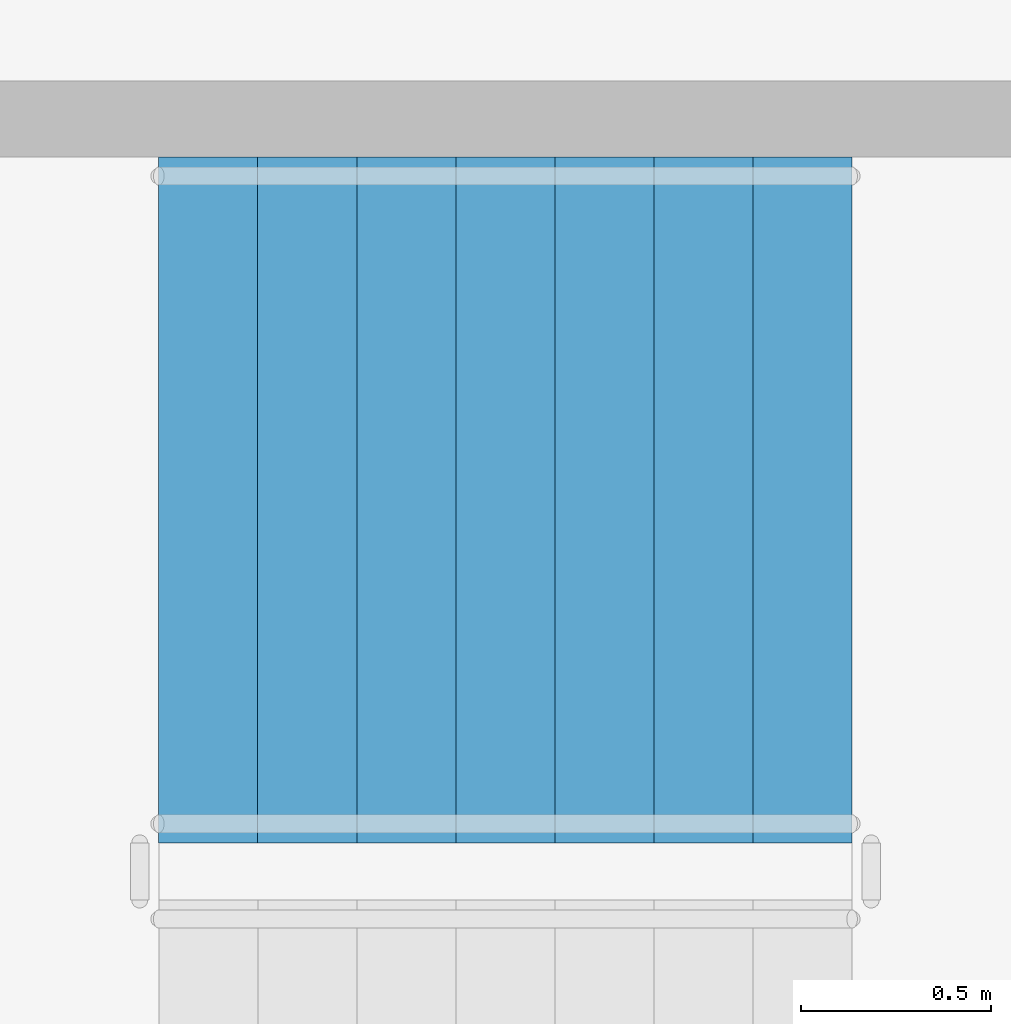
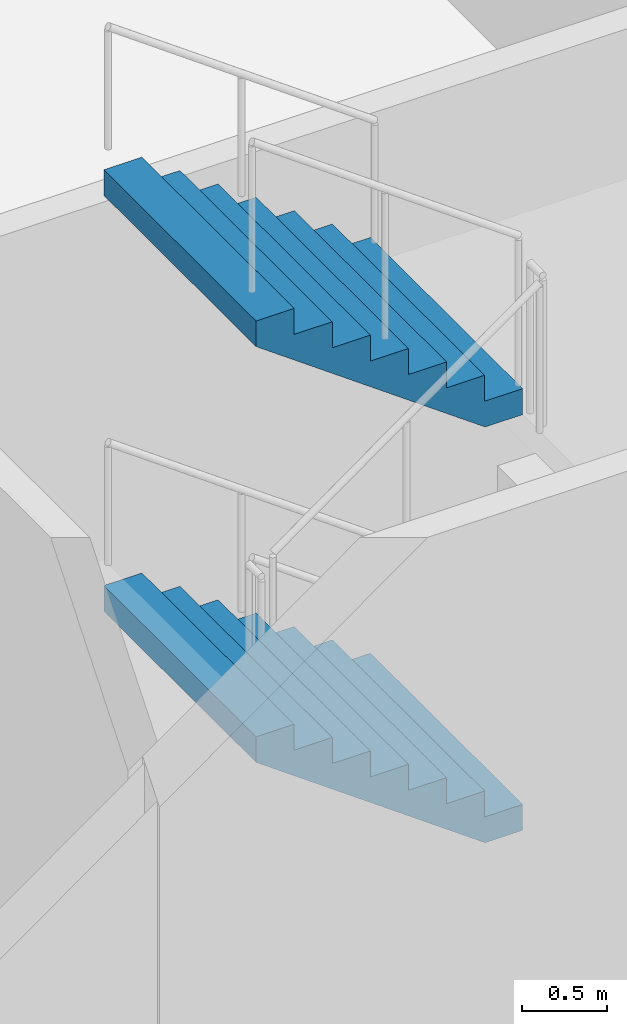
# One storey, part 43 of 75: 2 stair flights, 1 element without a shape of its own.
"""IFC4 building model written with IfcOpenShell, lengths in metres."""

from ifc_helpers import new_model, si_unit, direction, frame, origin, place, context, subcontext, project, spatial, faceted_brep, material, type_object, element, aggregate, save


model = new_model("IFC4")

# Units and contexts
model_context = context("Model", 3, precision=1e-05, world=origin(), true_north=direction((0.0, 1.0)))
body_context = subcontext(model_context, "Body", "Model", "MODEL_VIEW")
ifc_project = project(units=[si_unit("LENGTHUNIT", "METRE"), si_unit("AREAUNIT", "SQUARE_METRE"), si_unit("VOLUMEUNIT", "CUBIC_METRE"), si_unit("PLANEANGLEUNIT", "RADIAN"), si_unit("MASSUNIT", "GRAM", prefix="KILO")], contexts=[model_context])

# Site, building, storey
site_placement = place(None, origin())
site = spatial("IfcSite", under=ifc_project, at=site_placement, CompositionType="ELEMENT")
building_placement = place(site_placement, origin())
building = spatial("IfcBuilding", under=site, at=building_placement, Name="Ipe Terrace Towers", CompositionType="ELEMENT")
storey_placement = place(building_placement, origin())
storey = spatial("IfcBuildingStorey", under=building, at=storey_placement, Name="L00", CompositionType="ELEMENT", Elevation=0.0)

# Stair, stair flights
ifc_material_1 = material(Name="Concrete C30/37", Category="concrete")
stair_type = type_object("IfcStairType", Name="Protected exit stair", PredefinedType="HALF_TURN_STAIR", material=ifc_material_1)
stair_placement = place(storey_placement, origin())
stair = element("IfcStair", 1, at=stair_placement, inside=storey, type_object=stair_type, Name="L00 Podium exit stair PS7", PredefinedType="HALF_TURN_STAIR")
ifc_material_2 = material(Name="Concrete C30/37", Category="concrete")
stair_flight_type = type_object("IfcStairFlightType", Name="Exit stair flight 1800", PredefinedType="STRAIGHT", material=ifc_material_2)
stair_flight_1_placement = place(storey_placement, frame((-64.3701171875, 4.449951171875, 1.5), z_axis=(0.0, 0.0, 1.0), x_axis=(-1.0, 0.0, 0.0)))
stair_flight_1 = element("IfcStairFlight", 2, at=stair_flight_1_placement, type_object=stair_flight_type, Name="PS7 flight 2", NumberOfRisers=8, NumberOfTreads=7, PredefinedType="STRAIGHT", RiserHeight=0.1875, TreadLength=0.26, context=body_context, shape_type="Brep", body=[
    faceted_brep([(0.25634765625, -0.89990234375, 0.0), (1.820068359375, -0.89990234375, 1.127685546875), (1.820068359375, -0.89990234375, 1.3125), (1.56005859375, -0.89990234375, 1.3125), (1.56005859375, -0.89990234375, 1.125), (1.300048828125, -0.89990234375, 1.125), (1.300048828125, -0.89990234375, 0.9375), (1.0400390625, -0.89990234375, 0.9375), (1.0400390625, -0.89990234375, 0.75), (0.780029296875, -0.89990234375, 0.75), (0.780029296875, -0.89990234375, 0.5625), (0.52001953125, -0.89990234375, 0.5625), (0.52001953125, -0.89990234375, 0.375), (0.260009765625, -0.89990234375, 0.375), (0.260009765625, -0.89990234375, 0.1875), (0.0, -0.89990234375, 0.1875), (0.0, -0.89990234375, 0.0), (0.0, 0.89990234375, 0.0), (0.0, 0.89990234375, 0.1875), (0.260009765625, 0.89990234375, 0.1875), (0.260009765625, 0.89990234375, 0.375), (0.52001953125, 0.89990234375, 0.375), (0.52001953125, 0.89990234375, 0.5625), (0.780029296875, 0.89990234375, 0.5625), (0.780029296875, 0.89990234375, 0.75), (1.0400390625, 0.89990234375, 0.75), (1.0400390625, 0.89990234375, 0.9375), (1.300048828125, 0.89990234375, 0.9375), (1.300048828125, 0.89990234375, 1.125), (1.56005859375, 0.89990234375, 1.125), (1.56005859375, 0.89990234375, 1.3125), (1.820068359375, 0.89990234375, 1.3125), (1.820068359375, 0.89990234375, 1.127685546875), (0.25634765625, 0.89990234375, 0.0), (0.0, -0.300048828125, 0.1875), (0.0, -0.1201171875, 0.1875), (0.0, -0.06005859375, 0.1875), (0.0, -0.030029296875, 0.1875), (0.0, -0.010009765625, 0.1875), (0.0, 0.0, 0.1875), (0.0, 0.010009765625, 0.1875), (0.0, 0.030029296875, 0.1875), (0.0, 0.06005859375, 0.1875), (0.0, 0.1201171875, 0.1875), (0.0, 0.300048828125, 0.1875), (0.0, 0.300048828125, 0.0), (0.0, 0.1201171875, 0.0), (0.0, 0.06005859375, 0.0), (0.0, 0.030029296875, 0.0), (0.0, 0.010009765625, 0.0), (0.0, 0.0, 0.0), (0.0, -0.010009765625, 0.0), (0.0, -0.030029296875, 0.0), (0.0, -0.06005859375, 0.0), (0.0, -0.1201171875, 0.0), (0.0, -0.300048828125, 0.0), (0.260009765625, -0.300048828125, 0.1875), (0.260009765625, -0.1201171875, 0.1875), (0.260009765625, -0.06005859375, 0.1875), (0.260009765625, -0.030029296875, 0.1875), (0.260009765625, -0.010009765625, 0.1875), (0.260009765625, 0.0, 0.1875), (0.260009765625, 0.010009765625, 0.1875), (0.260009765625, 0.030029296875, 0.1875), (0.260009765625, 0.06005859375, 0.1875), (0.260009765625, 0.1201171875, 0.1875), (0.260009765625, 0.300048828125, 0.1875), (0.260009765625, -0.300048828125, 0.375), (0.260009765625, -0.1201171875, 0.375), (0.260009765625, -0.06005859375, 0.375), (0.260009765625, -0.030029296875, 0.375), (0.260009765625, -0.010009765625, 0.375), (0.260009765625, 0.0, 0.375), (0.260009765625, 0.010009765625, 0.375), (0.260009765625, 0.030029296875, 0.375), (0.260009765625, 0.06005859375, 0.375), (0.260009765625, 0.1201171875, 0.375), (0.260009765625, 0.300048828125, 0.375), (0.52001953125, -0.300048828125, 0.375), (0.52001953125, -0.1201171875, 0.375), (0.52001953125, -0.06005859375, 0.375), (0.52001953125, -0.030029296875, 0.375), (0.52001953125, -0.010009765625, 0.375), (0.52001953125, 0.0, 0.375), (0.52001953125, 0.010009765625, 0.375), (0.52001953125, 0.030029296875, 0.375), (0.52001953125, 0.06005859375, 0.375), (0.52001953125, 0.1201171875, 0.375), (0.52001953125, 0.300048828125, 0.375), (0.52001953125, -0.300048828125, 0.5625), (0.52001953125, -0.1201171875, 0.5625), (0.52001953125, -0.06005859375, 0.5625), (0.52001953125, -0.030029296875, 0.5625), (0.52001953125, -0.010009765625, 0.5625), (0.52001953125, 0.0, 0.5625), (0.52001953125, 0.010009765625, 0.5625), (0.52001953125, 0.030029296875, 0.5625), (0.52001953125, 0.06005859375, 0.5625), (0.52001953125, 0.1201171875, 0.5625), (0.52001953125, 0.300048828125, 0.5625), (0.780029296875, -0.300048828125, 0.5625), (0.780029296875, -0.1201171875, 0.5625), (0.780029296875, -0.06005859375, 0.5625), (0.780029296875, -0.030029296875, 0.5625), (0.780029296875, -0.010009765625, 0.5625), (0.780029296875, 0.0, 0.5625), (0.780029296875, 0.010009765625, 0.5625), (0.780029296875, 0.030029296875, 0.5625), (0.780029296875, 0.06005859375, 0.5625), (0.780029296875, 0.1201171875, 0.5625), (0.780029296875, 0.300048828125, 0.5625), (0.780029296875, -0.300048828125, 0.75), (0.780029296875, -0.1201171875, 0.75), (0.780029296875, -0.06005859375, 0.75), (0.780029296875, -0.030029296875, 0.75), (0.780029296875, -0.010009765625, 0.75), (0.780029296875, 0.0, 0.75), (0.780029296875, 0.010009765625, 0.75), (0.780029296875, 0.030029296875, 0.75), (0.780029296875, 0.06005859375, 0.75), (0.780029296875, 0.1201171875, 0.75), (0.780029296875, 0.300048828125, 0.75), (1.0400390625, -0.300048828125, 0.75), (1.0400390625, -0.1201171875, 0.75), (1.0400390625, -0.06005859375, 0.75), (1.0400390625, -0.030029296875, 0.75), (1.0400390625, -0.010009765625, 0.75), (1.0400390625, 0.0, 0.75), (1.0400390625, 0.010009765625, 0.75), (1.0400390625, 0.030029296875, 0.75), (1.0400390625, 0.06005859375, 0.75), (1.0400390625, 0.1201171875, 0.75), (1.0400390625, 0.300048828125, 0.75), (1.0400390625, -0.300048828125, 0.9375), (1.0400390625, -0.1201171875, 0.9375), (1.0400390625, -0.06005859375, 0.9375), (1.0400390625, -0.030029296875, 0.9375), (1.0400390625, -0.010009765625, 0.9375), (1.0400390625, 0.0, 0.9375), (1.0400390625, 0.010009765625, 0.9375), (1.0400390625, 0.030029296875, 0.9375), (1.0400390625, 0.06005859375, 0.9375), (1.0400390625, 0.1201171875, 0.9375), (1.0400390625, 0.300048828125, 0.9375), (1.300048828125, -0.300048828125, 0.9375), (1.300048828125, -0.1201171875, 0.9375), (1.300048828125, -0.06005859375, 0.9375), (1.300048828125, -0.030029296875, 0.9375), (1.300048828125, -0.010009765625, 0.9375), (1.300048828125, 0.0, 0.9375), (1.300048828125, 0.010009765625, 0.9375), (1.300048828125, 0.030029296875, 0.9375), (1.300048828125, 0.06005859375, 0.9375), (1.300048828125, 0.1201171875, 0.9375), (1.300048828125, 0.300048828125, 0.9375), (1.300048828125, -0.300048828125, 1.125), (1.300048828125, -0.1201171875, 1.125), (1.300048828125, -0.06005859375, 1.125), (1.300048828125, -0.030029296875, 1.125), (1.300048828125, -0.010009765625, 1.125), (1.300048828125, 0.0, 1.125), (1.300048828125, 0.010009765625, 1.125), (1.300048828125, 0.030029296875, 1.125), (1.300048828125, 0.06005859375, 1.125), (1.300048828125, 0.1201171875, 1.125), (1.300048828125, 0.300048828125, 1.125), (1.56005859375, -0.300048828125, 1.125), (1.56005859375, -0.1201171875, 1.125), (1.56005859375, -0.06005859375, 1.125), (1.56005859375, -0.030029296875, 1.125), (1.56005859375, -0.010009765625, 1.125), (1.56005859375, 0.0, 1.125), (1.56005859375, 0.010009765625, 1.125), (1.56005859375, 0.030029296875, 1.125), (1.56005859375, 0.06005859375, 1.125), (1.56005859375, 0.1201171875, 1.125), (1.56005859375, 0.300048828125, 1.125), (1.56005859375, -0.300048828125, 1.3125), (1.56005859375, -0.1201171875, 1.3125), (1.56005859375, -0.06005859375, 1.3125), (1.56005859375, -0.030029296875, 1.3125), (1.56005859375, -0.010009765625, 1.3125), (1.56005859375, 0.0, 1.3125), (1.56005859375, 0.010009765625, 1.3125), (1.56005859375, 0.030029296875, 1.3125), (1.56005859375, 0.06005859375, 1.3125), (1.56005859375, 0.1201171875, 1.3125), (1.56005859375, 0.300048828125, 1.3125), (1.820068359375, -0.300048828125, 1.3125), (1.820068359375, -0.1201171875, 1.3125), (1.820068359375, -0.06005859375, 1.3125), (1.820068359375, -0.030029296875, 1.3125), (1.820068359375, -0.010009765625, 1.3125), (1.820068359375, 0.0, 1.3125), (1.820068359375, 0.010009765625, 1.3125), (1.820068359375, 0.030029296875, 1.3125), (1.820068359375, 0.06005859375, 1.3125), (1.820068359375, 0.1201171875, 1.3125), (1.820068359375, 0.300048828125, 1.3125), (1.820068359375, -0.300048828125, 1.127685546875), (1.820068359375, -0.1201171875, 1.127685546875), (1.820068359375, -0.06005859375, 1.127685546875), (1.820068359375, -0.030029296875, 1.127685546875), (1.820068359375, -0.010009765625, 1.127685546875), (1.820068359375, 0.0, 1.127685546875), (1.820068359375, 0.010009765625, 1.127685546875), (1.820068359375, 0.030029296875, 1.127685546875), (1.820068359375, 0.06005859375, 1.127685546875), (1.820068359375, 0.1201171875, 1.127685546875), (1.820068359375, 0.300048828125, 1.127685546875), (0.25634765625, -0.300048828125, 0.0), (0.25634765625, -0.1201171875, 0.0), (0.25634765625, -0.06005859375, 0.0), (0.25634765625, -0.030029296875, 0.0), (0.25634765625, -0.010009765625, 0.0), (0.25634765625, 0.0, 0.0), (0.25634765625, 0.010009765625, 0.0), (0.25634765625, 0.030029296875, 0.0), (0.25634765625, 0.06005859375, 0.0), (0.25634765625, 0.1201171875, 0.0), (0.25634765625, 0.300048828125, 0.0)], [[[0, 1, 2, 3, 4, 5, 6, 7, 8, 9, 10, 11, 12, 13, 14, 15, 16]], [[17, 18, 19, 20, 21, 22, 23, 24, 25, 26, 27, 28, 29, 30, 31, 32, 33]], [[15, 34, 35, 36, 37, 38, 39, 40, 41, 42, 43, 44, 18, 17, 45, 46, 47, 48, 49, 50, 51, 52, 53, 54, 55, 16]], [[14, 56, 57, 58, 59, 60, 61, 62, 63, 64, 65, 66, 19, 18, 44, 43, 42, 41, 40, 39, 38, 37, 36, 35, 34, 15]], [[13, 67, 68, 69, 70, 71, 72, 73, 74, 75, 76, 77, 20, 19, 66, 65, 64, 63, 62, 61, 60, 59, 58, 57, 56, 14]], [[12, 78, 79, 80, 81, 82, 83, 84, 85, 86, 87, 88, 21, 20, 77, 76, 75, 74, 73, 72, 71, 70, 69, 68, 67, 13]], [[11, 89, 90, 91, 92, 93, 94, 95, 96, 97, 98, 99, 22, 21, 88, 87, 86, 85, 84, 83, 82, 81, 80, 79, 78, 12]], [[10, 100, 101, 102, 103, 104, 105, 106, 107, 108, 109, 110, 23, 22, 99, 98, 97, 96, 95, 94, 93, 92, 91, 90, 89, 11]], [[9, 111, 112, 113, 114, 115, 116, 117, 118, 119, 120, 121, 24, 23, 110, 109, 108, 107, 106, 105, 104, 103, 102, 101, 100, 10]], [[8, 122, 123, 124, 125, 126, 127, 128, 129, 130, 131, 132, 25, 24, 121, 120, 119, 118, 117, 116, 115, 114, 113, 112, 111, 9]], [[7, 133, 134, 135, 136, 137, 138, 139, 140, 141, 142, 143, 26, 25, 132, 131, 130, 129, 128, 127, 126, 125, 124, 123, 122, 8]], [[6, 144, 145, 146, 147, 148, 149, 150, 151, 152, 153, 154, 27, 26, 143, 142, 141, 140, 139, 138, 137, 136, 135, 134, 133, 7]], [[5, 155, 156, 157, 158, 159, 160, 161, 162, 163, 164, 165, 28, 27, 154, 153, 152, 151, 150, 149, 148, 147, 146, 145, 144, 6]], [[4, 166, 167, 168, 169, 170, 171, 172, 173, 174, 175, 176, 29, 28, 165, 164, 163, 162, 161, 160, 159, 158, 157, 156, 155, 5]], [[3, 177, 178, 179, 180, 181, 182, 183, 184, 185, 186, 187, 30, 29, 176, 175, 174, 173, 172, 171, 170, 169, 168, 167, 166, 4]], [[2, 188, 189, 190, 191, 192, 193, 194, 195, 196, 197, 198, 31, 30, 187, 186, 185, 184, 183, 182, 181, 180, 179, 178, 177, 3]], [[1, 199, 200, 201, 202, 203, 204, 205, 206, 207, 208, 209, 32, 31, 198, 197, 196, 195, 194, 193, 192, 191, 190, 189, 188, 2]], [[0, 210, 211, 212, 213, 214, 215, 216, 217, 218, 219, 220, 33, 32, 209, 208, 207, 206, 205, 204, 203, 202, 201, 200, 199, 1]], [[16, 55, 54, 53, 52, 51, 50, 49, 48, 47, 46, 45, 17, 33, 220, 219, 218, 217, 216, 215, 214, 213, 212, 211, 210, 0]]]),
])
stair_flight_2_placement = place(storey_placement, frame((-64.3701171875, 4.449951171875, 4.5), z_axis=(0.0, 0.0, 1.0), x_axis=(-1.0, 0.0, 0.0)))
stair_flight_2 = element("IfcStairFlight", 3, at=stair_flight_2_placement, type_object=stair_flight_type, Name="PS7 flight 4", NumberOfRisers=8, NumberOfTreads=7, PredefinedType="STRAIGHT", RiserHeight=0.1875, TreadLength=0.26, context=body_context, shape_type="Brep", body=[
    faceted_brep([(0.25634765625, -0.89990234375, 0.0), (1.820068359375, -0.89990234375, 1.127685546875), (1.820068359375, -0.89990234375, 1.3125), (1.56005859375, -0.89990234375, 1.3125), (1.56005859375, -0.89990234375, 1.125), (1.300048828125, -0.89990234375, 1.125), (1.300048828125, -0.89990234375, 0.9375), (1.0400390625, -0.89990234375, 0.9375), (1.0400390625, -0.89990234375, 0.75), (0.780029296875, -0.89990234375, 0.75), (0.780029296875, -0.89990234375, 0.5625), (0.52001953125, -0.89990234375, 0.5625), (0.52001953125, -0.89990234375, 0.375), (0.260009765625, -0.89990234375, 0.375), (0.260009765625, -0.89990234375, 0.1875), (0.0, -0.89990234375, 0.1875), (0.0, -0.89990234375, 0.0), (0.0, 0.89990234375, 0.0), (0.0, 0.89990234375, 0.1875), (0.260009765625, 0.89990234375, 0.1875), (0.260009765625, 0.89990234375, 0.375), (0.52001953125, 0.89990234375, 0.375), (0.52001953125, 0.89990234375, 0.5625), (0.780029296875, 0.89990234375, 0.5625), (0.780029296875, 0.89990234375, 0.75), (1.0400390625, 0.89990234375, 0.75), (1.0400390625, 0.89990234375, 0.9375), (1.300048828125, 0.89990234375, 0.9375), (1.300048828125, 0.89990234375, 1.125), (1.56005859375, 0.89990234375, 1.125), (1.56005859375, 0.89990234375, 1.3125), (1.820068359375, 0.89990234375, 1.3125), (1.820068359375, 0.89990234375, 1.127685546875), (0.25634765625, 0.89990234375, 0.0), (0.0, -0.300048828125, 0.1875), (0.0, -0.1201171875, 0.1875), (0.0, -0.06005859375, 0.1875), (0.0, -0.030029296875, 0.1875), (0.0, -0.010009765625, 0.1875), (0.0, 0.0, 0.1875), (0.0, 0.010009765625, 0.1875), (0.0, 0.030029296875, 0.1875), (0.0, 0.06005859375, 0.1875), (0.0, 0.1201171875, 0.1875), (0.0, 0.300048828125, 0.1875), (0.0, 0.300048828125, 0.0), (0.0, 0.1201171875, 0.0), (0.0, 0.06005859375, 0.0), (0.0, 0.030029296875, 0.0), (0.0, 0.010009765625, 0.0), (0.0, 0.0, 0.0), (0.0, -0.010009765625, 0.0), (0.0, -0.030029296875, 0.0), (0.0, -0.06005859375, 0.0), (0.0, -0.1201171875, 0.0), (0.0, -0.300048828125, 0.0), (0.260009765625, -0.300048828125, 0.1875), (0.260009765625, -0.1201171875, 0.1875), (0.260009765625, -0.06005859375, 0.1875), (0.260009765625, -0.030029296875, 0.1875), (0.260009765625, -0.010009765625, 0.1875), (0.260009765625, 0.0, 0.1875), (0.260009765625, 0.010009765625, 0.1875), (0.260009765625, 0.030029296875, 0.1875), (0.260009765625, 0.06005859375, 0.1875), (0.260009765625, 0.1201171875, 0.1875), (0.260009765625, 0.300048828125, 0.1875), (0.260009765625, -0.300048828125, 0.375), (0.260009765625, -0.1201171875, 0.375), (0.260009765625, -0.06005859375, 0.375), (0.260009765625, -0.030029296875, 0.375), (0.260009765625, -0.010009765625, 0.375), (0.260009765625, 0.0, 0.375), (0.260009765625, 0.010009765625, 0.375), (0.260009765625, 0.030029296875, 0.375), (0.260009765625, 0.06005859375, 0.375), (0.260009765625, 0.1201171875, 0.375), (0.260009765625, 0.300048828125, 0.375), (0.52001953125, -0.300048828125, 0.375), (0.52001953125, -0.1201171875, 0.375), (0.52001953125, -0.06005859375, 0.375), (0.52001953125, -0.030029296875, 0.375), (0.52001953125, -0.010009765625, 0.375), (0.52001953125, 0.0, 0.375), (0.52001953125, 0.010009765625, 0.375), (0.52001953125, 0.030029296875, 0.375), (0.52001953125, 0.06005859375, 0.375), (0.52001953125, 0.1201171875, 0.375), (0.52001953125, 0.300048828125, 0.375), (0.52001953125, -0.300048828125, 0.5625), (0.52001953125, -0.1201171875, 0.5625), (0.52001953125, -0.06005859375, 0.5625), (0.52001953125, -0.030029296875, 0.5625), (0.52001953125, -0.010009765625, 0.5625), (0.52001953125, 0.0, 0.5625), (0.52001953125, 0.010009765625, 0.5625), (0.52001953125, 0.030029296875, 0.5625), (0.52001953125, 0.06005859375, 0.5625), (0.52001953125, 0.1201171875, 0.5625), (0.52001953125, 0.300048828125, 0.5625), (0.780029296875, -0.300048828125, 0.5625), (0.780029296875, -0.1201171875, 0.5625), (0.780029296875, -0.06005859375, 0.5625), (0.780029296875, -0.030029296875, 0.5625), (0.780029296875, -0.010009765625, 0.5625), (0.780029296875, 0.0, 0.5625), (0.780029296875, 0.010009765625, 0.5625), (0.780029296875, 0.030029296875, 0.5625), (0.780029296875, 0.06005859375, 0.5625), (0.780029296875, 0.1201171875, 0.5625), (0.780029296875, 0.300048828125, 0.5625), (0.780029296875, -0.300048828125, 0.75), (0.780029296875, -0.1201171875, 0.75), (0.780029296875, -0.06005859375, 0.75), (0.780029296875, -0.030029296875, 0.75), (0.780029296875, -0.010009765625, 0.75), (0.780029296875, 0.0, 0.75), (0.780029296875, 0.010009765625, 0.75), (0.780029296875, 0.030029296875, 0.75), (0.780029296875, 0.06005859375, 0.75), (0.780029296875, 0.1201171875, 0.75), (0.780029296875, 0.300048828125, 0.75), (1.0400390625, -0.300048828125, 0.75), (1.0400390625, -0.1201171875, 0.75), (1.0400390625, -0.06005859375, 0.75), (1.0400390625, -0.030029296875, 0.75), (1.0400390625, -0.010009765625, 0.75), (1.0400390625, 0.0, 0.75), (1.0400390625, 0.010009765625, 0.75), (1.0400390625, 0.030029296875, 0.75), (1.0400390625, 0.06005859375, 0.75), (1.0400390625, 0.1201171875, 0.75), (1.0400390625, 0.300048828125, 0.75), (1.0400390625, -0.300048828125, 0.9375), (1.0400390625, -0.1201171875, 0.9375), (1.0400390625, -0.06005859375, 0.9375), (1.0400390625, -0.030029296875, 0.9375), (1.0400390625, -0.010009765625, 0.9375), (1.0400390625, 0.0, 0.9375), (1.0400390625, 0.010009765625, 0.9375), (1.0400390625, 0.030029296875, 0.9375), (1.0400390625, 0.06005859375, 0.9375), (1.0400390625, 0.1201171875, 0.9375), (1.0400390625, 0.300048828125, 0.9375), (1.300048828125, -0.300048828125, 0.9375), (1.300048828125, -0.1201171875, 0.9375), (1.300048828125, -0.06005859375, 0.9375), (1.300048828125, -0.030029296875, 0.9375), (1.300048828125, -0.010009765625, 0.9375), (1.300048828125, 0.0, 0.9375), (1.300048828125, 0.010009765625, 0.9375), (1.300048828125, 0.030029296875, 0.9375), (1.300048828125, 0.06005859375, 0.9375), (1.300048828125, 0.1201171875, 0.9375), (1.300048828125, 0.300048828125, 0.9375), (1.300048828125, -0.300048828125, 1.125), (1.300048828125, -0.1201171875, 1.125), (1.300048828125, -0.06005859375, 1.125), (1.300048828125, -0.030029296875, 1.125), (1.300048828125, -0.010009765625, 1.125), (1.300048828125, 0.0, 1.125), (1.300048828125, 0.010009765625, 1.125), (1.300048828125, 0.030029296875, 1.125), (1.300048828125, 0.06005859375, 1.125), (1.300048828125, 0.1201171875, 1.125), (1.300048828125, 0.300048828125, 1.125), (1.56005859375, -0.300048828125, 1.125), (1.56005859375, -0.1201171875, 1.125), (1.56005859375, -0.06005859375, 1.125), (1.56005859375, -0.030029296875, 1.125), (1.56005859375, -0.010009765625, 1.125), (1.56005859375, 0.0, 1.125), (1.56005859375, 0.010009765625, 1.125), (1.56005859375, 0.030029296875, 1.125), (1.56005859375, 0.06005859375, 1.125), (1.56005859375, 0.1201171875, 1.125), (1.56005859375, 0.300048828125, 1.125), (1.56005859375, -0.300048828125, 1.3125), (1.56005859375, -0.1201171875, 1.3125), (1.56005859375, -0.06005859375, 1.3125), (1.56005859375, -0.030029296875, 1.3125), (1.56005859375, -0.010009765625, 1.3125), (1.56005859375, 0.0, 1.3125), (1.56005859375, 0.010009765625, 1.3125), (1.56005859375, 0.030029296875, 1.3125), (1.56005859375, 0.06005859375, 1.3125), (1.56005859375, 0.1201171875, 1.3125), (1.56005859375, 0.300048828125, 1.3125), (1.820068359375, -0.300048828125, 1.3125), (1.820068359375, -0.1201171875, 1.3125), (1.820068359375, -0.06005859375, 1.3125), (1.820068359375, -0.030029296875, 1.3125), (1.820068359375, -0.010009765625, 1.3125), (1.820068359375, 0.0, 1.3125), (1.820068359375, 0.010009765625, 1.3125), (1.820068359375, 0.030029296875, 1.3125), (1.820068359375, 0.06005859375, 1.3125), (1.820068359375, 0.1201171875, 1.3125), (1.820068359375, 0.300048828125, 1.3125), (1.820068359375, -0.300048828125, 1.127685546875), (1.820068359375, -0.1201171875, 1.127685546875), (1.820068359375, -0.06005859375, 1.127685546875), (1.820068359375, -0.030029296875, 1.127685546875), (1.820068359375, -0.010009765625, 1.127685546875), (1.820068359375, 0.0, 1.127685546875), (1.820068359375, 0.010009765625, 1.127685546875), (1.820068359375, 0.030029296875, 1.127685546875), (1.820068359375, 0.06005859375, 1.127685546875), (1.820068359375, 0.1201171875, 1.127685546875), (1.820068359375, 0.300048828125, 1.127685546875), (0.25634765625, -0.300048828125, 0.0), (0.25634765625, -0.1201171875, 0.0), (0.25634765625, -0.06005859375, 0.0), (0.25634765625, -0.030029296875, 0.0), (0.25634765625, -0.010009765625, 0.0), (0.25634765625, 0.0, 0.0), (0.25634765625, 0.010009765625, 0.0), (0.25634765625, 0.030029296875, 0.0), (0.25634765625, 0.06005859375, 0.0), (0.25634765625, 0.1201171875, 0.0), (0.25634765625, 0.300048828125, 0.0)], [[[0, 1, 2, 3, 4, 5, 6, 7, 8, 9, 10, 11, 12, 13, 14, 15, 16]], [[17, 18, 19, 20, 21, 22, 23, 24, 25, 26, 27, 28, 29, 30, 31, 32, 33]], [[15, 34, 35, 36, 37, 38, 39, 40, 41, 42, 43, 44, 18, 17, 45, 46, 47, 48, 49, 50, 51, 52, 53, 54, 55, 16]], [[14, 56, 57, 58, 59, 60, 61, 62, 63, 64, 65, 66, 19, 18, 44, 43, 42, 41, 40, 39, 38, 37, 36, 35, 34, 15]], [[13, 67, 68, 69, 70, 71, 72, 73, 74, 75, 76, 77, 20, 19, 66, 65, 64, 63, 62, 61, 60, 59, 58, 57, 56, 14]], [[12, 78, 79, 80, 81, 82, 83, 84, 85, 86, 87, 88, 21, 20, 77, 76, 75, 74, 73, 72, 71, 70, 69, 68, 67, 13]], [[11, 89, 90, 91, 92, 93, 94, 95, 96, 97, 98, 99, 22, 21, 88, 87, 86, 85, 84, 83, 82, 81, 80, 79, 78, 12]], [[10, 100, 101, 102, 103, 104, 105, 106, 107, 108, 109, 110, 23, 22, 99, 98, 97, 96, 95, 94, 93, 92, 91, 90, 89, 11]], [[9, 111, 112, 113, 114, 115, 116, 117, 118, 119, 120, 121, 24, 23, 110, 109, 108, 107, 106, 105, 104, 103, 102, 101, 100, 10]], [[8, 122, 123, 124, 125, 126, 127, 128, 129, 130, 131, 132, 25, 24, 121, 120, 119, 118, 117, 116, 115, 114, 113, 112, 111, 9]], [[7, 133, 134, 135, 136, 137, 138, 139, 140, 141, 142, 143, 26, 25, 132, 131, 130, 129, 128, 127, 126, 125, 124, 123, 122, 8]], [[6, 144, 145, 146, 147, 148, 149, 150, 151, 152, 153, 154, 27, 26, 143, 142, 141, 140, 139, 138, 137, 136, 135, 134, 133, 7]], [[5, 155, 156, 157, 158, 159, 160, 161, 162, 163, 164, 165, 28, 27, 154, 153, 152, 151, 150, 149, 148, 147, 146, 145, 144, 6]], [[4, 166, 167, 168, 169, 170, 171, 172, 173, 174, 175, 176, 29, 28, 165, 164, 163, 162, 161, 160, 159, 158, 157, 156, 155, 5]], [[3, 177, 178, 179, 180, 181, 182, 183, 184, 185, 186, 187, 30, 29, 176, 175, 174, 173, 172, 171, 170, 169, 168, 167, 166, 4]], [[2, 188, 189, 190, 191, 192, 193, 194, 195, 196, 197, 198, 31, 30, 187, 186, 185, 184, 183, 182, 181, 180, 179, 178, 177, 3]], [[1, 199, 200, 201, 202, 203, 204, 205, 206, 207, 208, 209, 32, 31, 198, 197, 196, 195, 194, 193, 192, 191, 190, 189, 188, 2]], [[0, 210, 211, 212, 213, 214, 215, 216, 217, 218, 219, 220, 33, 32, 209, 208, 207, 206, 205, 204, 203, 202, 201, 200, 199, 1]], [[16, 55, 54, 53, 52, 51, 50, 49, 48, 47, 46, 45, 17, 33, 220, 219, 218, 217, 216, 215, 214, 213, 212, 211, 210, 0]]]),
])
aggregate(stair, [stair_flight_1, stair_flight_2])

save(model, "model.ifc")
